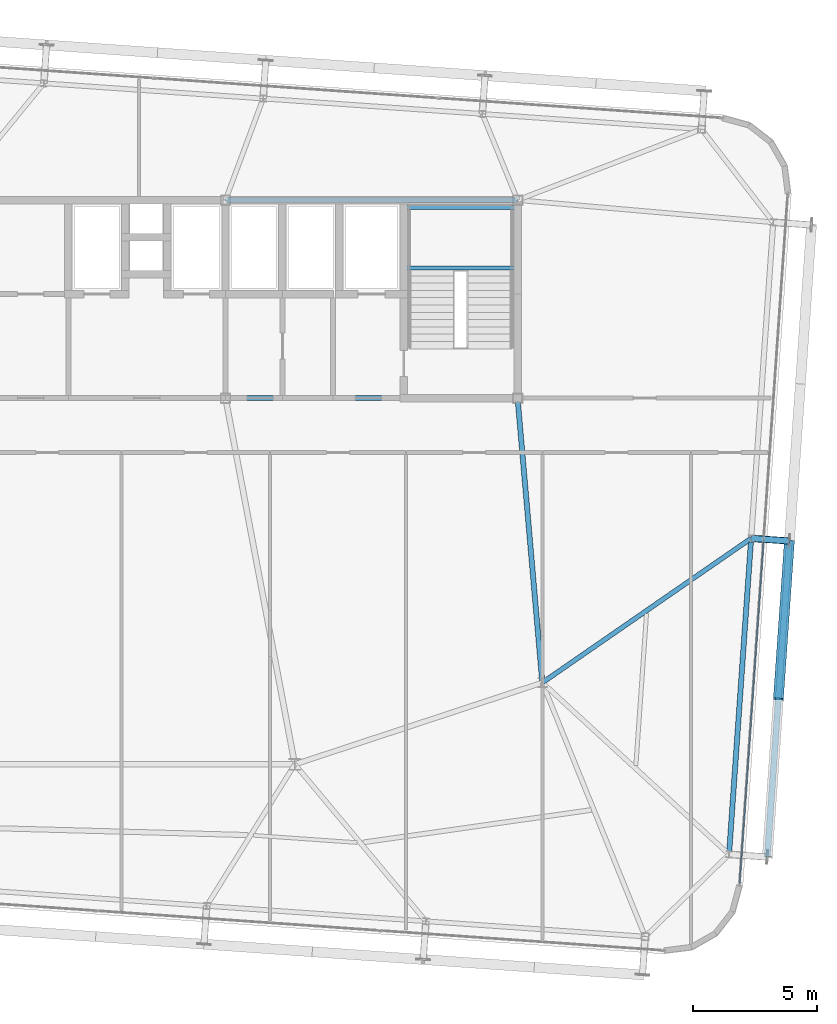
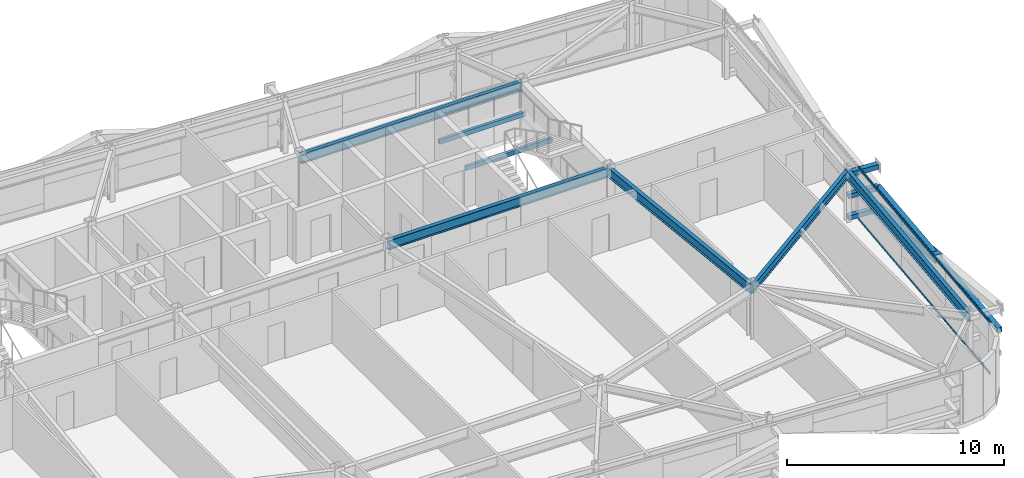
# One storey, part 16 of 39: 7 beams, 7 members, 1 element without a shape of its own.
"""IFC4 building model written with IfcOpenShell, lengths in metres."""

from ifc_helpers import new_model, si_unit, direction, frame, origin, origin_2d, place, context, subcontext, project, spatial, hollow_rectangle, i_section, extrude, source, transform, mapped, material, layer, layer_set, material_profile, profile_set, type_object, element, aggregate, save


model = new_model("IFC4")

# Units and contexts
model_context = context("Model", 3, precision=1e-05, world=origin(), true_north=direction((0.0, 1.0)))
body_context = subcontext(model_context, "Body", "Model", "MODEL_VIEW")
ifc_project = project(units=[si_unit("LENGTHUNIT", "METRE"), si_unit("AREAUNIT", "SQUARE_METRE"), si_unit("VOLUMEUNIT", "CUBIC_METRE"), si_unit("PLANEANGLEUNIT", "RADIAN"), si_unit("MASSUNIT", "GRAM", prefix="KILO")], contexts=[model_context])

# Site, building, storey
site_placement = place(None, origin())
site = spatial("IfcSite", under=ifc_project, at=site_placement, CompositionType="ELEMENT")
building_placement = place(site_placement, origin())
building = spatial("IfcBuilding", under=site, at=building_placement, Name="Taldren Reach Tower", CompositionType="ELEMENT")
storey_placement = place(building_placement, frame((0.0, 0.0, 123.550048828125)))
storey = spatial("IfcBuildingStorey", under=building, at=storey_placement, Name="L37", CompositionType="ELEMENT", Elevation=123.550048828125)

# Beams
ifc_material_1 = material(Name="Steel Gr 350 (350PLUS)", Category="steel")
ifc_material_profile_1 = material_profile(ifc_material_1, i_section(OverallWidth=0.208984375, OverallDepth=0.532958984375, WebThickness=0.01025390625, FlangeThickness=0.015625, at=origin_2d()), Name="530UB92.4")
ifc_profile_set_1 = profile_set([ifc_material_profile_1], Name="Steel Gr 350 (350PLUS)")
beam_type_1 = type_object("IfcBeamType", Name="BM-UB530A", PredefinedType="BEAM", material=ifc_profile_set_1)
shared_shape_1 = source(origin(), body_context, "Body", "SweptSolid", [
    extrude(i_section(OverallWidth=0.208984375, OverallDepth=0.532958984375, WebThickness=0.01025390625, FlangeThickness=0.015625, at=origin_2d()), origin(), (0.0, 0.0, 1.0), 11.800048828125),
])
for number, where, z_axis, x_axis, name in (
    (1, (39.199951171875, 24.0, 2.663330078125), (1.0, 0.0, 0.0), (0.0, 1.0, 0.0), "Core-spine girder L37-SP03"),
    (2, (39.199951171875, 32.0, 2.663330078125), (1.0, 0.0, 0.0), (0.0, 1.0, 0.0), "Core-spine girder L37-SP06"),
):
    element("IfcBeam", number, at=place(storey_placement, frame(where, z_axis=z_axis, x_axis=x_axis)), inside=storey, type_object=beam_type_1, Name=name, PredefinedType="BEAM", context=body_context, shape_type="MappedRepresentation", body=[
        mapped(shared_shape_1, transform((0.0, 0.0, 0.0), scale=1.0)),
    ])
shared_shape_2 = source(origin(), body_context, "Body", "SweptSolid", [
    extrude(i_section(OverallWidth=0.208984375, OverallDepth=0.532958984375, WebThickness=0.01025390625, FlangeThickness=0.015625, at=origin_2d()), origin(), (0.0, 0.0, 1.0), 11.54345703125),
])
beam_1_placement = place(storey_placement, frame((52.0, 12.5, 2.663330078125), z_axis=(-0.086629616365, 0.996240588196, 0.0), x_axis=(-0.996240588196, -0.086629616365, 0.0)))
element("IfcBeam", 3, at=beam_1_placement, inside=storey, type_object=beam_type_1, Name="Core-spine girder L37-SP13", PredefinedType="BEAM", context=body_context, shape_type="MappedRepresentation", body=[
    mapped(shared_shape_2, transform((0.0, 0.0, 0.0), scale=1.0)),
])

# Members
ifc_material_2 = material(Name="Steel Gr 450 (C450L0)", Category="steel")
ifc_material_profile_2 = material_profile(ifc_material_2, hollow_rectangle(XDim=0.27490234375, YDim=0.27490234375, WallThickness=0.00927734375, at=origin_2d()), Name="275x275x9.3SHS")
ifc_profile_set_2 = profile_set([ifc_material_profile_2], Name="Steel Gr 450 (C450L0)")
member_type_1 = type_object("IfcMemberType", Name="MB-TIE273", PredefinedType="STRUT", material=ifc_profile_set_2)
shared_shape_3 = source(origin(), body_context, "Body", "SweptSolid", [
    extrude(hollow_rectangle(XDim=0.27490234375, YDim=0.27490234375, WallThickness=0.00927734375, at=origin_2d()), origin(), (0.0, 0.0, 1.0), 1.5498046875),
])
member_1_placement = place(storey_placement, frame((60.438232421875, 18.331787109375, 2.64990234375), z_axis=(0.997562367434, -0.069780535098, 0.0), x_axis=(0.069780535098, 0.997562367434, 0.0)))
element("IfcMember", 4, at=member_1_placement, inside=storey, type_object=member_type_1, Name="Exoskeleton diaphragm tie strut B3-E2 L37", PredefinedType="STRUT", context=body_context, shape_type="MappedRepresentation", body=[
    mapped(shared_shape_3, transform((0.0, 0.0, 0.0), scale=1.0)),
])
ifc_material_3 = material(Name="Steel Gr 350 (C350L0)", Category="steel")
ifc_material_profile_3 = material_profile(ifc_material_3, hollow_rectangle(XDim=0.25, YDim=0.25, WallThickness=0.010009765625, at=origin_2d()), Name="250x250x10.0SHS")
ifc_profile_set_3 = profile_set([ifc_material_profile_3], Name="Steel Gr 350 (C350L0)")
member_type_2 = type_object("IfcMemberType", Name="MB-POST250", PredefinedType="POST", material=ifc_profile_set_3)
shared_shape_4 = source(origin(), body_context, "Body", "SweptSolid", [
    extrude(hollow_rectangle(XDim=0.25, YDim=0.25, WallThickness=0.010009765625, at=origin_2d()), origin(), (0.0, 0.0, 1.0), 1.5498046875),
])
for number, where, z_axis, x_axis, name in (
    (5, (60.438232421875, 18.331787109375, 0.219970703125), (0.997562367434, -0.069780535098, 0.0), (0.069780535098, 0.997562367434, 0.0), "Exoskeleton base diaphragm tie strut B3-E2 L37"),
    (6, (60.438232421875, 18.331787109375, 1.43505859375), (0.997562367434, -0.069780535098, 0.0), (0.069780535098, 0.997562367434, 0.0), "Exoskeleton mid-tier diaphragm tie B3-E2 L37"),
):
    element("IfcMember", number, at=place(storey_placement, frame(where, z_axis=z_axis, x_axis=x_axis)), inside=storey, type_object=member_type_2, Name=name, PredefinedType="POST", context=body_context, shape_type="MappedRepresentation", body=[
        mapped(shared_shape_4, transform((0.0, 0.0, 0.0), scale=1.0)),
    ])

# Beams
ifc_material_profile_4 = material_profile(ifc_material_1, i_section(OverallWidth=0.208984375, OverallDepth=0.528076171875, WebThickness=0.009521484375, FlangeThickness=0.01318359375, at=origin_2d()), Name="530UB82.0")
ifc_profile_set_4 = profile_set([ifc_material_profile_4], Name="Steel Gr 350 (350PLUS)")
beam_type_2 = type_object("IfcBeamType", Name="SP-UB530B", PredefinedType="SPANDREL", material=ifc_profile_set_4)
shared_shape_5 = source(origin(), body_context, "Body", "SweptSolid", [
    extrude(i_section(OverallWidth=0.208984375, OverallDepth=0.528076171875, WebThickness=0.009521484375, FlangeThickness=0.01318359375, at=origin_2d()), origin(), (0.0, 0.0, 1.0), 12.80029296875),
])
beam_2_placement = place(storey_placement, frame((59.54541015625, 5.562744140625, 2.666015625), z_axis=(0.069750549628, 0.997564464497, 0.0), x_axis=(-0.997564464497, 0.069750549628, 0.0)))
element("IfcBeam", 7, at=beam_2_placement, inside=storey, type_object=beam_type_2, Name="Perimeter spandrel B3 E1-E2 L37", PredefinedType="SPANDREL", context=body_context, shape_type="MappedRepresentation", body=[
    mapped(shared_shape_5, transform((0.0, 0.0, 0.0), scale=1.0)),
])
ifc_material_profile_5 = material_profile(ifc_material_1, i_section(OverallWidth=0.19091796875, OverallDepth=0.4599609375, WebThickness=0.010009765625, FlangeThickness=0.01611328125, at=origin_2d()), Name="460UB82.1")
ifc_profile_set_5 = profile_set([ifc_material_profile_5], Name="Steel Gr 350 (350PLUS)")
beam_type_3 = type_object("IfcBeamType", Name="BM-UB460A", PredefinedType="BEAM", material=ifc_profile_set_5)
shared_shape_6 = source(origin(), body_context, "Body", "SweptSolid", [
    extrude(i_section(OverallWidth=0.19091796875, OverallDepth=0.4599609375, WebThickness=0.010009765625, FlangeThickness=0.01611328125, at=origin_2d()), origin(), (0.0, 0.0, 1.0), 10.25732421875),
])
beam_3_placement = place(storey_placement, frame((52.0, 12.5, 2.699951171875), z_axis=(0.822651197727, 0.568546398175, 0.0), x_axis=(-0.568546398175, 0.822651197727, 0.0)))
element("IfcBeam", 8, at=beam_3_placement, inside=storey, type_object=beam_type_3, Name="Primary floor girder B3-E2 L37", PredefinedType="BEAM", context=body_context, shape_type="MappedRepresentation", body=[
    mapped(shared_shape_6, transform((0.0, 0.0, 0.0), scale=1.0)),
])

# Members
shared_shape_7 = source(origin(), body_context, "Body", "SweptSolid", [
    extrude(hollow_rectangle(XDim=0.25, YDim=0.25, WallThickness=0.010009765625, at=origin_2d()), origin(), (0.0, 0.0, 1.0), 12.800048828125),
])
member_2_placement = place(storey_placement, frame((61.091552734375, 5.454833984375, 1.43505859375), z_axis=(0.069751876777, 0.9975643717, 0.0), x_axis=(-0.9975643717, 0.069751876777, 0.0)))
element("IfcMember", 9, at=member_2_placement, inside=storey, type_object=member_type_2, Name="Exoskeleton mid-height ring chord B3-E1 L37", PredefinedType="POST", context=body_context, shape_type="MappedRepresentation", body=[
    mapped(shared_shape_7, transform((0.0, 0.0, 0.0), scale=1.0)),
])
ifc_material_profile_6 = material_profile(ifc_material_2, hollow_rectangle(XDim=0.409912109375, YDim=0.409912109375, WallThickness=0.01611328125, at=origin_2d()), Name="410x410x16.0SHS")
ifc_profile_set_6 = profile_set([ifc_material_profile_6], Name="Steel Gr 450 (C450L0)")
member_type_3 = type_object("IfcMemberType", Name="MB-EXO406", PredefinedType="BRACE", material=ifc_profile_set_6)
shared_shape_8 = source(origin(), body_context, "Body", "SweptSolid", [
    extrude(hollow_rectangle(XDim=0.409912109375, YDim=0.409912109375, WallThickness=0.01611328125, at=origin_2d()), origin(), (0.0, 0.0, 1.0), 6.514404296875),
])
member_3_placement = place(storey_placement, frame((61.984375, 18.2236328125, 0.219970703125), z_axis=(-0.068507825937, -0.980059166346, 0.186522674885), x_axis=(0.997565791441, -0.069731569223, 0.0)))
element("IfcMember", 10, at=member_3_placement, inside=storey, type_object=member_type_3, Name="Exoskeleton Diagrid Brace B3-E1 L37", PredefinedType="BRACE", context=body_context, shape_type="MappedRepresentation", body=[
    mapped(shared_shape_8, transform((0.0, 0.0, 0.0), scale=1.0)),
])

# Curtain wall, members
ifc_material_4 = material(Name="Aluminium and Low-E Glass Unitised System", Category="aluminium")
ifc_layer = layer(ifc_material_4, 0.159912109375)
ifc_layer_set = layer_set([ifc_layer], Name="Aluminium and Low-E Glass Unitised System")
curtain_wall_type = type_object("IfcCurtainWallType", Name="CW-SYS-4", PredefinedType="NOTDEFINED", material=ifc_layer_set)
curtain_wall_placement = place(storey_placement, origin())
curtain_wall = element("IfcCurtainWall", 11, at=curtain_wall_placement, inside=storey, type_object=curtain_wall_type, Name="Unitised curtain wall CW-L37-E", PredefinedType="NOTDEFINED")
ifc_material_5 = material(Name="Anodised Aluminium 6063-T6", Category="aluminium")
ifc_material_profile_7 = material_profile(ifc_material_5, hollow_rectangle(XDim=0.054931640625, YDim=0.1201171875, WallThickness=0.0029296875, at=origin_2d()), Name="ALU-120x55x3RHS")
ifc_profile_set_7 = profile_set([ifc_material_profile_7], Name="Anodised Aluminium 6063-T6")
member_type_4 = type_object("IfcMemberType", Name="CW-TRN-135", PredefinedType="USERDEFINED", material=ifc_profile_set_7)
shared_shape_9 = source(origin(), body_context, "Body", "SweptSolid", [
    extrude(hollow_rectangle(XDim=0.054931640625, YDim=0.1201171875, WallThickness=0.0029296875, at=origin_2d()), origin(), (0.0, 0.0, 1.0), 13.89501953125),
])
member_4_placement = place(storey_placement, frame((59.975341796875, 4.400146484375, 0.02734375), z_axis=(0.069754817075, 0.997564166104, 0.0), x_axis=(-0.997564166104, 0.069754817075, 0.0)))
member_4 = element("IfcMember", 12, at=member_4_placement, type_object=member_type_4, Name="CW-4 transom 1.1", ObjectType="TRANSOM", PredefinedType="USERDEFINED", context=body_context, shape_type="MappedRepresentation", body=[
    mapped(shared_shape_9, transform((0.0, 0.0, 0.0), scale=1.0)),
])
member_5_placement = place(storey_placement, frame((59.975341796875, 4.400146484375, 2.90234375), z_axis=(0.069754817075, 0.997564166104, 0.0), x_axis=(-0.997564166104, 0.069754817075, 0.0)))
member_5 = element("IfcMember", 13, at=member_5_placement, type_object=member_type_4, Name="CW-4 transom 1.2", ObjectType="TRANSOM", PredefinedType="USERDEFINED", context=body_context, shape_type="MappedRepresentation", body=[
    mapped(shared_shape_9, transform((0.0, 0.0, 0.0), scale=1.0)),
])
aggregate(curtain_wall, [member_4, member_5])

# Beams
ifc_material_profile_8 = material_profile(ifc_material_3, hollow_rectangle(XDim=0.14990234375, YDim=0.25, WallThickness=0.009033203125, at=origin_2d()), Name="250x150x9.0RHS")
ifc_profile_set_8 = profile_set([ifc_material_profile_8], Name="Steel Gr 350 (C350L0)")
beam_type_4 = type_object("IfcBeamType", Name="LN-RHS250", PredefinedType="LINTEL", material=ifc_profile_set_8)
shared_shape_10 = source(origin(), body_context, "Body", "SweptSolid", [
    extrude(hollow_rectangle(XDim=0.14990234375, YDim=0.25, WallThickness=0.009033203125, at=origin_2d()), origin(), (0.0, 0.0, 1.0), 4.60009765625),
])
for number, where, z_axis, x_axis, name in (
    (14, (46.39990234375, 29.2548828125, 1.27001953125), (1.0, 0.0, 0.0), (0.0, 1.0, 0.0), "Stair half-landing support beam ST2-L37-1"),
    (15, (46.39990234375, 31.699951171875, 1.27001953125), (1.0, 0.0, 0.0), (0.0, 1.0, 0.0), "Stair half-landing support beam ST2-L37-2"),
):
    element("IfcBeam", number, at=place(storey_placement, frame(where, z_axis=z_axis, x_axis=x_axis)), inside=storey, type_object=beam_type_4, Name=name, PredefinedType="LINTEL", context=body_context, shape_type="MappedRepresentation", body=[
        mapped(shared_shape_10, transform((0.0, 0.0, 0.0), scale=1.0)),
    ])

save(model, "model.ifc")
